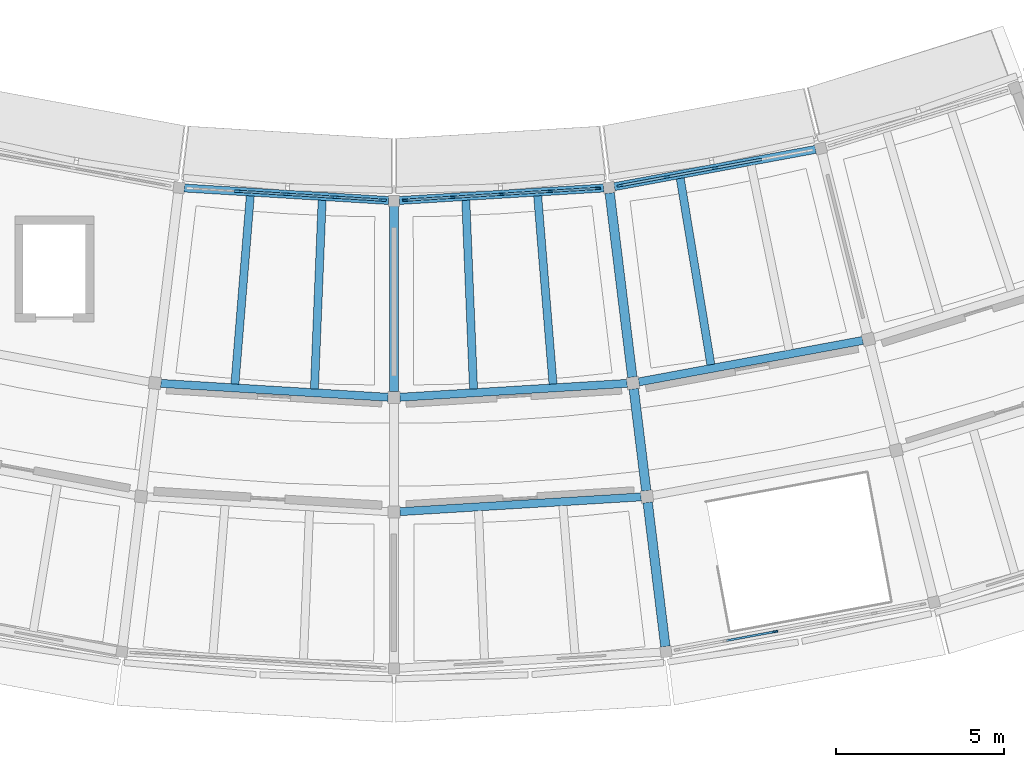
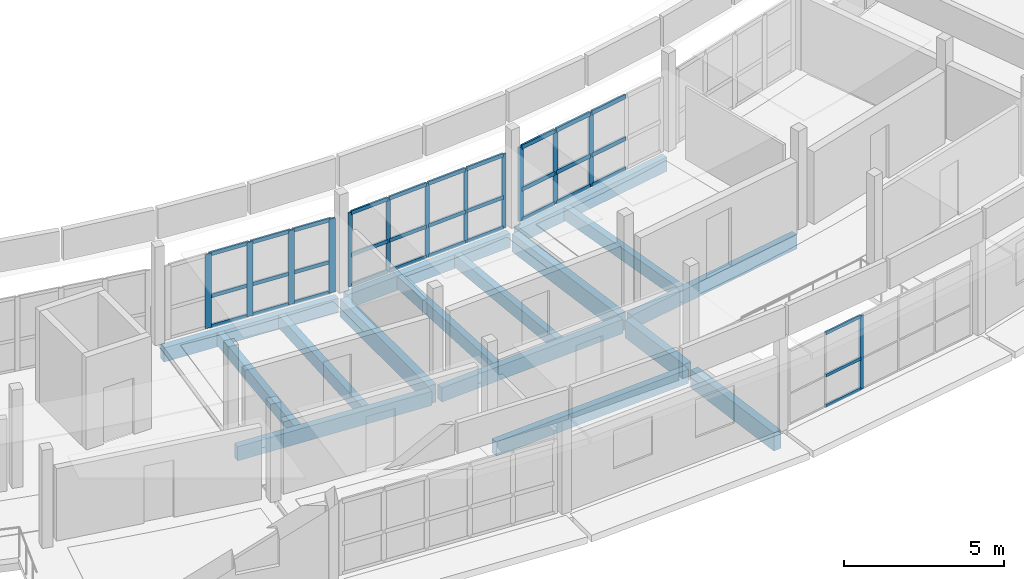
# One storey, part 5 of 12: 46 members, 16 beams, 4 elements without a shape of their own.
"""IFC4 building model written with IfcOpenShell, lengths in metres."""

from ifc_helpers import new_model, si_unit, direction, frame, origin, origin_2d, place, context, subcontext, project, spatial, rectangle, extrude, material, layer, layer_set, material_profile, profile_set, type_object, element, aggregate, save


model = new_model("IFC4")

# Units and contexts
model_context = context("Model", 3, precision=1e-05, world=origin(), true_north=direction((0.0, 1.0)))
body_context = subcontext(model_context, "Body", "Model", "MODEL_VIEW")
ifc_project = project(units=[si_unit("LENGTHUNIT", "METRE"), si_unit("AREAUNIT", "SQUARE_METRE"), si_unit("VOLUMEUNIT", "CUBIC_METRE"), si_unit("PLANEANGLEUNIT", "RADIAN"), si_unit("MASSUNIT", "GRAM", prefix="KILO")], contexts=[model_context])

# Site, building, storey
site_placement = place(None, origin())
site = spatial("IfcSite", under=ifc_project, at=site_placement, CompositionType="ELEMENT")
building_placement = place(site_placement, origin())
building = spatial("IfcBuilding", under=site, at=building_placement, Name="Caldaven Crescent School", CompositionType="ELEMENT")
storey_placement = place(building_placement, frame((0.0, 0.0, 19.3798828125)))
storey = spatial("IfcBuildingStorey", under=building, at=storey_placement, Name="L05", CompositionType="ELEMENT", Elevation=19.3798828125)

# Beams
ifc_material_1 = material(Name="Glulam MLE24h (GL28h)", Category="wood")
ifc_material_profile_1 = material_profile(ifc_material_1, rectangle(XDim=0.239990234375, YDim=0.5400390625, at=origin_2d()), Name="MLE 240x540")
ifc_profile_set_1 = profile_set([ifc_material_profile_1], Name="Glulam MLE24h (GL28h)")
beam_type_1 = type_object("IfcBeamType", Name="BM-GL54", PredefinedType="BEAM", material=ifc_profile_set_1)
for number, where, z_axis, x_axis, name in (
    (1, (81.069580078125, 38.123779296875, -0.47998046875), (0.998135879701, -0.061030858212, 0.0), (0.061030858212, 0.998135879701, 0.0), "BMT-V5-L05-1715"),
    (2, (88.174560546875, 37.710693359375, -0.47998046875), (0.998135879701, 0.061030858212, 0.0), (-0.061030858212, 0.998135879701, 0.0), "BMT-V5-L05-1723"),
):
    element("IfcBeam", number, at=place(storey_placement, frame(where, z_axis=z_axis, x_axis=x_axis)), inside=storey, type_object=beam_type_1, Name=name, PredefinedType="BEAM", context=body_context, shape_type="SweptSolid", body=[
        extrude(rectangle(XDim=0.239990234375, YDim=0.5400390625, at=origin_2d()), origin(), (0.0, 0.0, 1.0), 6.7685546875),
    ])
beam_1_placement = place(storey_placement, frame((88.174560546875, 34.310791015625, -0.47998046875), z_axis=(0.998135388571, 0.061038889914, 0.0), x_axis=(-0.061038889914, 0.998135388571, 0.0)))
element("IfcBeam", 3, at=beam_1_placement, inside=storey, type_object=beam_type_1, Name="BMT-V5-L05-1724", PredefinedType="BEAM", context=body_context, shape_type="SweptSolid", body=[
    extrude(rectangle(XDim=0.239990234375, YDim=0.5400390625, at=origin_2d()), origin(), (0.0, 0.0, 1.0), 7.18359375),
])
beam_2_placement = place(storey_placement, frame((95.277099609375, 38.16650390625, -0.47998046875), z_axis=(0.983254724559, 0.182236512894, 0.0), x_axis=(-0.182236512894, 0.983254724559, 0.0)))
element("IfcBeam", 4, at=beam_2_placement, inside=storey, type_object=beam_type_1, Name="BMT-V5-L05-1731", PredefinedType="BEAM", context=body_context, shape_type="SweptSolid", body=[
    extrude(rectangle(XDim=0.239990234375, YDim=0.5400390625, at=origin_2d()), origin(), (0.0, 0.0, 1.0), 6.76806640625),
])
ifc_material_profile_2 = material_profile(ifc_material_1, rectangle(XDim=0.280029296875, YDim=0.68994140625, at=origin_2d()), Name="MLE 280x690")
ifc_profile_set_2 = profile_set([ifc_material_profile_2], Name="Glulam MLE24h (GL28h)")
beam_type_2 = type_object("IfcBeamType", Name="BM-GL69", PredefinedType="BEAM", material=ifc_profile_set_2)
for number, where, z_axis, x_axis, name in (
    (5, (88.0, 43.389892578125, -0.554931640625), (0.0, -1.0, 0.0), (1.0, 0.0, 0.0), "BMR-V5-L05-1690"),
    (6, (94.41162109375, 43.7822265625, -0.554931640625), (0.121871408826, -0.992545898037, 0.0), (0.992545898037, 0.121871408826, 0.0), "BMR-V5-L05-1693"),
):
    element("IfcBeam", number, at=place(storey_placement, frame(where, z_axis=z_axis, x_axis=x_axis)), inside=storey, type_object=beam_type_2, Name=name, PredefinedType="BEAM", context=body_context, shape_type="SweptSolid", body=[
        extrude(rectangle(XDim=0.280029296875, YDim=0.68994140625, at=origin_2d()), origin(), (0.0, 0.0, 1.0), 5.514892578125),
    ])
beam_3_placement = place(storey_placement, frame((95.126220703125, 37.9609375, -0.554931640625), z_axis=(0.121906519032, -0.992541586342, 0.0), x_axis=(0.992541586342, 0.121906519032, 0.0)))
element("IfcBeam", 7, at=beam_3_placement, inside=storey, type_object=beam_type_2, Name="BMR-V5-L05-1694", PredefinedType="BEAM", context=body_context, shape_type="SweptSolid", body=[
    extrude(rectangle(XDim=0.280029296875, YDim=0.68994140625, at=origin_2d()), origin(), (0.0, 0.0, 1.0), 3.050048828125),
])
beam_4_placement = place(storey_placement, frame((95.540771484375, 34.586181640625, -0.554931640625), z_axis=(0.121875655073, -0.992545376646, 0.0), x_axis=(0.992545376646, 0.121875655073, 0.0)))
element("IfcBeam", 8, at=beam_4_placement, inside=storey, type_object=beam_type_2, Name="BMR-V5-L05-1695", PredefinedType="BEAM", context=body_context, shape_type="SweptSolid", body=[
    extrude(rectangle(XDim=0.280029296875, YDim=0.68994140625, at=origin_2d()), origin(), (0.0, 0.0, 1.0), 4.31494140625),
])

# Curtain wall, members
ifc_material_2 = material(Name="Anodised aluminium AA 6063-T6 and low-E double glazing", Category="aluminium")
ifc_layer_1 = layer(ifc_material_2, 0.18994140625)
ifc_layer_set_1 = layer_set([ifc_layer_1], Name="Anodised aluminium AA 6063-T6 and low-E double glazing")
curtain_wall_type_1 = type_object("IfcCurtainWallType", Name="CW-SYS2", PredefinedType="NOTDEFINED", material=ifc_layer_set_1)
curtain_wall_1_placement = place(storey_placement, origin())
curtain_wall_1 = element("IfcCurtainWall", 9, at=curtain_wall_1_placement, inside=storey, type_object=curtain_wall_type_1, Name="CW-L05-184", PredefinedType="NOTDEFINED")
ifc_material_3 = material(Name="Anodised aluminium AA 6063-T6", Category="aluminium")
ifc_material_profile_3 = material_profile(ifc_material_3, rectangle(XDim=0.06005859375, YDim=0.14990234375, at=origin_2d()), Name="CWM 60x150")
ifc_profile_set_3 = profile_set([ifc_material_profile_3], Name="Anodised aluminium AA 6063-T6")
member_type_1 = type_object("IfcMemberType", Name="CWM-T1", PredefinedType="MULLION", material=ifc_profile_set_3)
member_1_placement = place(storey_placement, frame((88.329345703125, 43.570068359375, 0.0), z_axis=(0.0, 0.0, 1.0), x_axis=(-0.061049319496, 0.998134750717, 0.0)))
member_1 = element("IfcMember", 10, at=member_1_placement, type_object=member_type_1, Name="CW2 mullion 1", PredefinedType="MULLION", context=body_context, shape_type="SweptSolid", body=[
    extrude(rectangle(XDim=0.06005859375, YDim=0.14990234375, at=origin_2d()), origin(), (0.0, 0.0, 1.0), 2.820068359375),
])
member_2_placement = place(storey_placement, frame((89.747802734375, 43.656982421875, 0.0), z_axis=(0.0, 0.0, 1.0), x_axis=(-0.061049319496, 0.998134750717, 0.0)))
member_2 = element("IfcMember", 11, at=member_2_placement, type_object=member_type_1, Name="CW2 mullion 2", PredefinedType="MULLION", context=body_context, shape_type="SweptSolid", body=[
    extrude(rectangle(XDim=0.06005859375, YDim=0.14990234375, at=origin_2d()), origin(), (0.0, 0.0, 1.0), 2.820068359375),
])
member_3_placement = place(storey_placement, frame((91.196044921875, 43.745361328125, 0.0), z_axis=(0.0, 0.0, 1.0), x_axis=(-0.061049319496, 0.998134750717, 0.0)))
member_3 = element("IfcMember", 12, at=member_3_placement, type_object=member_type_1, Name="CW2 mullion 3", PredefinedType="MULLION", context=body_context, shape_type="SweptSolid", body=[
    extrude(rectangle(XDim=0.06005859375, YDim=0.14990234375, at=origin_2d()), origin(), (0.0, 0.0, 1.0), 2.820068359375),
])
member_4_placement = place(storey_placement, frame((92.644287109375, 43.833984375, 0.0), z_axis=(0.0, 0.0, 1.0), x_axis=(-0.061049319496, 0.998134750717, 0.0)))
member_4 = element("IfcMember", 13, at=member_4_placement, type_object=member_type_1, Name="CW2 mullion 4", PredefinedType="MULLION", context=body_context, shape_type="SweptSolid", body=[
    extrude(rectangle(XDim=0.06005859375, YDim=0.14990234375, at=origin_2d()), origin(), (0.0, 0.0, 1.0), 2.820068359375),
])
member_5_placement = place(storey_placement, frame((94.062744140625, 43.9208984375, 0.0), z_axis=(0.0, 0.0, 1.0), x_axis=(-0.061049319496, 0.998134750717, 0.0)))
member_5 = element("IfcMember", 14, at=member_5_placement, type_object=member_type_1, Name="CW2 mullion 5", PredefinedType="MULLION", context=body_context, shape_type="SweptSolid", body=[
    extrude(rectangle(XDim=0.06005859375, YDim=0.14990234375, at=origin_2d()), origin(), (0.0, 0.0, 1.0), 2.820068359375),
])

# Curtain wall, member
ifc_layer_2 = layer(ifc_material_2, 0.169921875)
ifc_layer_set_2 = layer_set([ifc_layer_2], Name="Anodised aluminium AA 6063-T6 and low-E double glazing")
curtain_wall_type_2 = type_object("IfcCurtainWallType", Name="CW-SYS1", PredefinedType="NOTDEFINED", material=ifc_layer_set_2)
curtain_wall_2_placement = place(storey_placement, origin())
curtain_wall_2 = element("IfcCurtainWall", 15, at=curtain_wall_2_placement, inside=storey, type_object=curtain_wall_type_2, Name="CW-L05-186", PredefinedType="NOTDEFINED")
member_6_placement = place(storey_placement, frame((99.331298828125, 30.74609375, 0.0), z_axis=(0.0, 0.0, 1.0), x_axis=(-0.182236339268, 0.983254756739, 0.0)))
member_6 = element("IfcMember", 16, at=member_6_placement, type_object=member_type_1, Name="CW1 mullion 3", PredefinedType="MULLION", context=body_context, shape_type="SweptSolid", body=[
    extrude(rectangle(XDim=0.06005859375, YDim=0.14990234375, at=origin_2d()), origin(), (0.0, 0.0, 1.0), 2.820068359375),
])

# Curtain wall, members
ifc_layer_3 = layer(ifc_material_2, 0.2099609375)
ifc_layer_set_3 = layer_set([ifc_layer_3], Name="Anodised aluminium AA 6063-T6 and low-E double glazing")
curtain_wall_type_3 = type_object("IfcCurtainWallType", Name="CW-SYS3", PredefinedType="NOTDEFINED", material=ifc_layer_set_3)
curtain_wall_3_placement = place(storey_placement, origin())
curtain_wall_3 = element("IfcCurtainWall", 17, at=curtain_wall_3_placement, inside=storey, type_object=curtain_wall_type_3, Name="CW-L05-185", PredefinedType="NOTDEFINED")
ifc_material_profile_4 = material_profile(ifc_material_3, rectangle(XDim=0.06494140625, YDim=0.179931640625, at=origin_2d()), Name="CWM 65x180")
ifc_profile_set_4 = profile_set([ifc_material_profile_4], Name="Anodised aluminium AA 6063-T6")
member_type_2 = type_object("IfcMemberType", Name="CWM-T2", PredefinedType="MULLION", material=ifc_profile_set_4)
member_7_placement = place(storey_placement, frame((94.718994140625, 44.00146484375, 0.0), z_axis=(0.0, 0.0, 1.0), x_axis=(-0.182236405836, 0.983254744401, 0.0)))
member_7 = element("IfcMember", 18, at=member_7_placement, type_object=member_type_2, Name="CW3 mullion 1", PredefinedType="MULLION", context=body_context, shape_type="SweptSolid", body=[
    extrude(rectangle(XDim=0.06494140625, YDim=0.179931640625, at=origin_2d()), origin(), (0.0, 0.0, 1.0), 2.820068359375),
])
member_8_placement = place(storey_placement, frame((96.11376953125, 44.260009765625, 0.0), z_axis=(0.0, 0.0, 1.0), x_axis=(-0.182236405836, 0.983254744401, 0.0)))
member_8 = element("IfcMember", 19, at=member_8_placement, type_object=member_type_2, Name="CW3 mullion 2", PredefinedType="MULLION", context=body_context, shape_type="SweptSolid", body=[
    extrude(rectangle(XDim=0.06494140625, YDim=0.179931640625, at=origin_2d()), origin(), (0.0, 0.0, 1.0), 2.820068359375),
])
member_9_placement = place(storey_placement, frame((97.54052734375, 44.5244140625, 0.0), z_axis=(0.0, 0.0, 1.0), x_axis=(-0.182236405836, 0.983254744401, 0.0)))
member_9 = element("IfcMember", 20, at=member_9_placement, type_object=member_type_2, Name="CW3 mullion 3", PredefinedType="MULLION", context=body_context, shape_type="SweptSolid", body=[
    extrude(rectangle(XDim=0.06494140625, YDim=0.179931640625, at=origin_2d()), origin(), (0.0, 0.0, 1.0), 2.820068359375),
])

curtain_wall_4_placement = place(storey_placement, origin())
curtain_wall_4 = element("IfcCurtainWall", 21, at=curtain_wall_4_placement, inside=storey, type_object=curtain_wall_type_2, Name="CW-L05-182", PredefinedType="NOTDEFINED")
ifc_material_profile_5 = material_profile(ifc_material_3, rectangle(XDim=0.070068359375, YDim=0.2099609375, at=origin_2d()), Name="CWM 70x210")
ifc_profile_set_5 = profile_set([ifc_material_profile_5], Name="Anodised aluminium AA 6063-T6")
member_type_3 = type_object("IfcMemberType", Name="CWM-T3", PredefinedType="MULLION", material=ifc_profile_set_5)
member_10_placement = place(storey_placement, frame((83.355712890625, 43.833984375, 0.0), z_axis=(0.0, 0.0, 1.0), x_axis=(0.061049319496, 0.998134750717, 0.0)))
member_10 = element("IfcMember", 22, at=member_10_placement, type_object=member_type_3, Name="CW1 mullion 2", PredefinedType="MULLION", context=body_context, shape_type="SweptSolid", body=[
    extrude(rectangle(XDim=0.070068359375, YDim=0.2099609375, at=origin_2d()), origin(), (0.0, 0.0, 1.0), 2.820068359375),
])
member_11_placement = place(storey_placement, frame((84.803955078125, 43.745361328125, 0.0), z_axis=(0.0, 0.0, 1.0), x_axis=(0.061049319496, 0.998134750717, 0.0)))
member_11 = element("IfcMember", 23, at=member_11_placement, type_object=member_type_3, Name="CW1 mullion 3", PredefinedType="MULLION", context=body_context, shape_type="SweptSolid", body=[
    extrude(rectangle(XDim=0.070068359375, YDim=0.2099609375, at=origin_2d()), origin(), (0.0, 0.0, 1.0), 2.820068359375),
])
member_12_placement = place(storey_placement, frame((86.252197265625, 43.656982421875, 0.0), z_axis=(0.0, 0.0, 1.0), x_axis=(0.061049319496, 0.998134750717, 0.0)))
member_12 = element("IfcMember", 24, at=member_12_placement, type_object=member_type_3, Name="CW1 mullion 4", PredefinedType="MULLION", context=body_context, shape_type="SweptSolid", body=[
    extrude(rectangle(XDim=0.070068359375, YDim=0.2099609375, at=origin_2d()), origin(), (0.0, 0.0, 1.0), 2.820068359375),
])
member_13_placement = place(storey_placement, frame((87.66552734375, 43.570556640625, 0.0), z_axis=(0.0, 0.0, 1.0), x_axis=(0.061049319496, 0.998134750717, 0.0)))
member_13 = element("IfcMember", 25, at=member_13_placement, type_object=member_type_3, Name="CW1 mullion 5", PredefinedType="MULLION", context=body_context, shape_type="SweptSolid", body=[
    extrude(rectangle(XDim=0.070068359375, YDim=0.2099609375, at=origin_2d()), origin(), (0.0, 0.0, 1.0), 2.820068359375),
])

# Member
ifc_material_profile_6 = material_profile(ifc_material_3, rectangle(XDim=0.06005859375, YDim=0.1201171875, at=origin_2d()), Name="CWT 60x120")
ifc_profile_set_6 = profile_set([ifc_material_profile_6], Name="Anodised aluminium AA 6063-T6")
member_type_4 = type_object("IfcMemberType", Name="CWT-T1", PredefinedType="USERDEFINED", material=ifc_profile_set_6)
member_14_placement = place(storey_placement, frame((97.885498046875, 30.47802734375, 0.030029296875), z_axis=(0.983259517613, 0.182210650135, 0.0), x_axis=(-0.182210650135, 0.983259517613, 0.0)))
member_14 = element("IfcMember", 26, at=member_14_placement, type_object=member_type_4, Name="CW1 transom 2.1", ObjectType="TRANSOM", PredefinedType="USERDEFINED", context=body_context, shape_type="SweptSolid", body=[
    extrude(rectangle(XDim=0.06005859375, YDim=0.1201171875, at=origin_2d()), origin(), (0.0, 0.0, 1.0), 1.4404296875),
])

member_15_placement = place(storey_placement, frame((97.885498046875, 30.47802734375, 1.18408203125), z_axis=(0.983259517613, 0.182210650135, 0.0), x_axis=(-0.182210650135, 0.983259517613, 0.0)))
member_15 = element("IfcMember", 27, at=member_15_placement, type_object=member_type_4, Name="CW1 transom 2.2", ObjectType="TRANSOM", PredefinedType="USERDEFINED", context=body_context, shape_type="SweptSolid", body=[
    extrude(rectangle(XDim=0.06005859375, YDim=0.1201171875, at=origin_2d()), origin(), (0.0, 0.0, 1.0), 1.4404296875),
])

member_16_placement = place(storey_placement, frame((97.885498046875, 30.47802734375, 2.7900390625), z_axis=(0.983259517613, 0.182210650135, 0.0), x_axis=(-0.182210650135, 0.983259517613, 0.0)))
member_16 = element("IfcMember", 28, at=member_16_placement, type_object=member_type_4, Name="CW1 transom 2.3", ObjectType="TRANSOM", PredefinedType="USERDEFINED", context=body_context, shape_type="SweptSolid", body=[
    extrude(rectangle(XDim=0.06005859375, YDim=0.1201171875, at=origin_2d()), origin(), (0.0, 0.0, 1.0), 1.4404296875),
])

aggregate(curtain_wall_2, [member_6, member_14, member_15, member_16])

ifc_material_profile_7 = material_profile(ifc_material_3, rectangle(XDim=0.06494140625, YDim=0.139892578125, at=origin_2d()), Name="CWT 65x140")
ifc_profile_set_7 = profile_set([ifc_material_profile_7], Name="Anodised aluminium AA 6063-T6")
member_type_5 = type_object("IfcMemberType", Name="CWT-T2", PredefinedType="USERDEFINED", material=ifc_profile_set_7)
member_17_placement = place(storey_placement, frame((83.390625, 43.83203125, 0.03271484375), z_axis=(0.998127510881, -0.061167573285, 0.0), x_axis=(0.061167573285, 0.998127510881, 0.0)))
member_17 = element("IfcMember", 29, at=member_17_placement, type_object=member_type_5, Name="CW1 transom 2.1", ObjectType="TRANSOM", PredefinedType="USERDEFINED", context=body_context, shape_type="SweptSolid", body=[
    extrude(rectangle(XDim=0.06494140625, YDim=0.139892578125, at=origin_2d()), origin(), (0.0, 0.0, 1.0), 1.381103515625),
])

member_18_placement = place(storey_placement, frame((83.390625, 43.83203125, 1.18408203125), z_axis=(0.998127510881, -0.061167573285, 0.0), x_axis=(0.061167573285, 0.998127510881, 0.0)))
member_18 = element("IfcMember", 30, at=member_18_placement, type_object=member_type_5, Name="CW1 transom 2.2", ObjectType="TRANSOM", PredefinedType="USERDEFINED", context=body_context, shape_type="SweptSolid", body=[
    extrude(rectangle(XDim=0.06494140625, YDim=0.139892578125, at=origin_2d()), origin(), (0.0, 0.0, 1.0), 1.381103515625),
])

member_19_placement = place(storey_placement, frame((83.390625, 43.83203125, 2.78759765625), z_axis=(0.998127510881, -0.061167573285, 0.0), x_axis=(0.061167573285, 0.998127510881, 0.0)))
member_19 = element("IfcMember", 31, at=member_19_placement, type_object=member_type_5, Name="CW1 transom 2.3", ObjectType="TRANSOM", PredefinedType="USERDEFINED", context=body_context, shape_type="SweptSolid", body=[
    extrude(rectangle(XDim=0.06494140625, YDim=0.139892578125, at=origin_2d()), origin(), (0.0, 0.0, 1.0), 1.381103515625),
])

member_20_placement = place(storey_placement, frame((84.8388671875, 43.743408203125, 0.03271484375), z_axis=(0.998127510881, -0.061167573285, 0.0), x_axis=(0.061167573285, 0.998127510881, 0.0)))
member_20 = element("IfcMember", 32, at=member_20_placement, type_object=member_type_5, Name="CW1 transom 3.1", ObjectType="TRANSOM", PredefinedType="USERDEFINED", context=body_context, shape_type="SweptSolid", body=[
    extrude(rectangle(XDim=0.06494140625, YDim=0.139892578125, at=origin_2d()), origin(), (0.0, 0.0, 1.0), 1.381103515625),
])

member_21_placement = place(storey_placement, frame((84.8388671875, 43.743408203125, 1.18408203125), z_axis=(0.998127510881, -0.061167573285, 0.0), x_axis=(0.061167573285, 0.998127510881, 0.0)))
member_21 = element("IfcMember", 33, at=member_21_placement, type_object=member_type_5, Name="CW1 transom 3.2", ObjectType="TRANSOM", PredefinedType="USERDEFINED", context=body_context, shape_type="SweptSolid", body=[
    extrude(rectangle(XDim=0.06494140625, YDim=0.139892578125, at=origin_2d()), origin(), (0.0, 0.0, 1.0), 1.381103515625),
])

member_22_placement = place(storey_placement, frame((84.8388671875, 43.743408203125, 2.78759765625), z_axis=(0.998127510881, -0.061167573285, 0.0), x_axis=(0.061167573285, 0.998127510881, 0.0)))
member_22 = element("IfcMember", 34, at=member_22_placement, type_object=member_type_5, Name="CW1 transom 3.3", ObjectType="TRANSOM", PredefinedType="USERDEFINED", context=body_context, shape_type="SweptSolid", body=[
    extrude(rectangle(XDim=0.06494140625, YDim=0.139892578125, at=origin_2d()), origin(), (0.0, 0.0, 1.0), 1.381103515625),
])

member_23_placement = place(storey_placement, frame((86.287109375, 43.65478515625, 0.03271484375), z_axis=(0.998130130323, -0.06112481445, 0.0), x_axis=(0.06112481445, 0.998130130323, 0.0)))
member_23 = element("IfcMember", 35, at=member_23_placement, type_object=member_type_5, Name="CW1 transom 4.1", ObjectType="TRANSOM", PredefinedType="USERDEFINED", context=body_context, shape_type="SweptSolid", body=[
    extrude(rectangle(XDim=0.06494140625, YDim=0.139892578125, at=origin_2d()), origin(), (0.0, 0.0, 1.0), 1.345947265625),
])

member_24_placement = place(storey_placement, frame((86.287109375, 43.65478515625, 1.18408203125), z_axis=(0.998130130323, -0.06112481445, 0.0), x_axis=(0.06112481445, 0.998130130323, 0.0)))
member_24 = element("IfcMember", 36, at=member_24_placement, type_object=member_type_5, Name="CW1 transom 4.2", ObjectType="TRANSOM", PredefinedType="USERDEFINED", context=body_context, shape_type="SweptSolid", body=[
    extrude(rectangle(XDim=0.06494140625, YDim=0.139892578125, at=origin_2d()), origin(), (0.0, 0.0, 1.0), 1.345947265625),
])

member_25_placement = place(storey_placement, frame((86.287109375, 43.65478515625, 2.78759765625), z_axis=(0.998130130323, -0.06112481445, 0.0), x_axis=(0.06112481445, 0.998130130323, 0.0)))
member_25 = element("IfcMember", 37, at=member_25_placement, type_object=member_type_5, Name="CW1 transom 4.3", ObjectType="TRANSOM", PredefinedType="USERDEFINED", context=body_context, shape_type="SweptSolid", body=[
    extrude(rectangle(XDim=0.06494140625, YDim=0.139892578125, at=origin_2d()), origin(), (0.0, 0.0, 1.0), 1.345947265625),
])

aggregate(curtain_wall_4, [member_10, member_11, member_12, member_13, member_17, member_18, member_19, member_20, member_21, member_22, member_23, member_24, member_25])

member_26_placement = place(storey_placement, frame((88.359375, 43.572021484375, 0.03271484375), z_axis=(0.998138172654, 0.06099334628, 0.0), x_axis=(-0.06099334628, 0.998138172654, 0.0)))
member_26 = element("IfcMember", 38, at=member_26_placement, type_object=member_type_5, Name="CW2 transom 1.1", ObjectType="TRANSOM", PredefinedType="USERDEFINED", context=body_context, shape_type="SweptSolid", body=[
    extrude(rectangle(XDim=0.06494140625, YDim=0.139892578125, at=origin_2d()), origin(), (0.0, 0.0, 1.0), 1.36083984375),
])

member_27_placement = place(storey_placement, frame((88.359375, 43.572021484375, 1.18408203125), z_axis=(0.998138172654, 0.06099334628, 0.0), x_axis=(-0.06099334628, 0.998138172654, 0.0)))
member_27 = element("IfcMember", 39, at=member_27_placement, type_object=member_type_5, Name="CW2 transom 1.2", ObjectType="TRANSOM", PredefinedType="USERDEFINED", context=body_context, shape_type="SweptSolid", body=[
    extrude(rectangle(XDim=0.06494140625, YDim=0.139892578125, at=origin_2d()), origin(), (0.0, 0.0, 1.0), 1.36083984375),
])

member_28_placement = place(storey_placement, frame((88.359375, 43.572021484375, 2.78759765625), z_axis=(0.998138172654, 0.06099334628, 0.0), x_axis=(-0.06099334628, 0.998138172654, 0.0)))
member_28 = element("IfcMember", 40, at=member_28_placement, type_object=member_type_5, Name="CW2 transom 1.3", ObjectType="TRANSOM", PredefinedType="USERDEFINED", context=body_context, shape_type="SweptSolid", body=[
    extrude(rectangle(XDim=0.06494140625, YDim=0.139892578125, at=origin_2d()), origin(), (0.0, 0.0, 1.0), 1.36083984375),
])

member_29_placement = place(storey_placement, frame((89.777587890625, 43.65869140625, 0.03271484375), z_axis=(0.998132999358, 0.061077946857, 0.0), x_axis=(-0.061077946857, 0.998132999358, 0.0)))
member_29 = element("IfcMember", 41, at=member_29_placement, type_object=member_type_5, Name="CW2 transom 2.1", ObjectType="TRANSOM", PredefinedType="USERDEFINED", context=body_context, shape_type="SweptSolid", body=[
    extrude(rectangle(XDim=0.06494140625, YDim=0.139892578125, at=origin_2d()), origin(), (0.0, 0.0, 1.0), 1.39111328125),
])

member_30_placement = place(storey_placement, frame((89.777587890625, 43.65869140625, 1.18408203125), z_axis=(0.998132999358, 0.061077946857, 0.0), x_axis=(-0.061077946857, 0.998132999358, 0.0)))
member_30 = element("IfcMember", 42, at=member_30_placement, type_object=member_type_5, Name="CW2 transom 2.2", ObjectType="TRANSOM", PredefinedType="USERDEFINED", context=body_context, shape_type="SweptSolid", body=[
    extrude(rectangle(XDim=0.06494140625, YDim=0.139892578125, at=origin_2d()), origin(), (0.0, 0.0, 1.0), 1.39111328125),
])

member_31_placement = place(storey_placement, frame((89.777587890625, 43.65869140625, 2.78759765625), z_axis=(0.998132999358, 0.061077946857, 0.0), x_axis=(-0.061077946857, 0.998132999358, 0.0)))
member_31 = element("IfcMember", 43, at=member_31_placement, type_object=member_type_5, Name="CW2 transom 2.3", ObjectType="TRANSOM", PredefinedType="USERDEFINED", context=body_context, shape_type="SweptSolid", body=[
    extrude(rectangle(XDim=0.06494140625, YDim=0.139892578125, at=origin_2d()), origin(), (0.0, 0.0, 1.0), 1.39111328125),
])

member_32_placement = place(storey_placement, frame((91.22607421875, 43.747314453125, 0.03271484375), z_axis=(0.998132344438, 0.061088648587, 0.0), x_axis=(-0.061088648587, 0.998132344438, 0.0)))
member_32 = element("IfcMember", 44, at=member_32_placement, type_object=member_type_5, Name="CW2 transom 3.1", ObjectType="TRANSOM", PredefinedType="USERDEFINED", context=body_context, shape_type="SweptSolid", body=[
    extrude(rectangle(XDim=0.06494140625, YDim=0.139892578125, at=origin_2d()), origin(), (0.0, 0.0, 1.0), 1.390869140625),
])

member_33_placement = place(storey_placement, frame((91.22607421875, 43.747314453125, 1.18408203125), z_axis=(0.998132344438, 0.061088648587, 0.0), x_axis=(-0.061088648587, 0.998132344438, 0.0)))
member_33 = element("IfcMember", 45, at=member_33_placement, type_object=member_type_5, Name="CW2 transom 3.2", ObjectType="TRANSOM", PredefinedType="USERDEFINED", context=body_context, shape_type="SweptSolid", body=[
    extrude(rectangle(XDim=0.06494140625, YDim=0.139892578125, at=origin_2d()), origin(), (0.0, 0.0, 1.0), 1.390869140625),
])

member_34_placement = place(storey_placement, frame((91.22607421875, 43.747314453125, 2.78759765625), z_axis=(0.998132344438, 0.061088648587, 0.0), x_axis=(-0.061088648587, 0.998132344438, 0.0)))
member_34 = element("IfcMember", 46, at=member_34_placement, type_object=member_type_5, Name="CW2 transom 3.3", ObjectType="TRANSOM", PredefinedType="USERDEFINED", context=body_context, shape_type="SweptSolid", body=[
    extrude(rectangle(XDim=0.06494140625, YDim=0.139892578125, at=origin_2d()), origin(), (0.0, 0.0, 1.0), 1.390869140625),
])

member_35_placement = place(storey_placement, frame((92.67431640625, 43.8359375, 0.03271484375), z_axis=(0.998138172654, 0.06099334628, 0.0), x_axis=(-0.06099334628, 0.998138172654, 0.0)))
member_35 = element("IfcMember", 47, at=member_35_placement, type_object=member_type_5, Name="CW2 transom 4.1", ObjectType="TRANSOM", PredefinedType="USERDEFINED", context=body_context, shape_type="SweptSolid", body=[
    extrude(rectangle(XDim=0.06494140625, YDim=0.139892578125, at=origin_2d()), origin(), (0.0, 0.0, 1.0), 1.36083984375),
])

member_36_placement = place(storey_placement, frame((92.67431640625, 43.8359375, 1.18408203125), z_axis=(0.998138172654, 0.06099334628, 0.0), x_axis=(-0.06099334628, 0.998138172654, 0.0)))
member_36 = element("IfcMember", 48, at=member_36_placement, type_object=member_type_5, Name="CW2 transom 4.2", ObjectType="TRANSOM", PredefinedType="USERDEFINED", context=body_context, shape_type="SweptSolid", body=[
    extrude(rectangle(XDim=0.06494140625, YDim=0.139892578125, at=origin_2d()), origin(), (0.0, 0.0, 1.0), 1.36083984375),
])

member_37_placement = place(storey_placement, frame((92.67431640625, 43.8359375, 2.78759765625), z_axis=(0.998138172654, 0.06099334628, 0.0), x_axis=(-0.06099334628, 0.998138172654, 0.0)))
member_37 = element("IfcMember", 49, at=member_37_placement, type_object=member_type_5, Name="CW2 transom 4.3", ObjectType="TRANSOM", PredefinedType="USERDEFINED", context=body_context, shape_type="SweptSolid", body=[
    extrude(rectangle(XDim=0.06494140625, YDim=0.139892578125, at=origin_2d()), origin(), (0.0, 0.0, 1.0), 1.36083984375),
])

aggregate(curtain_wall_1, [member_1, member_2, member_3, member_4, member_5, member_26, member_27, member_28, member_29, member_30, member_31, member_32, member_33, member_34, member_35, member_36, member_37])

ifc_material_profile_8 = material_profile(ifc_material_3, rectangle(XDim=0.070068359375, YDim=0.159912109375, at=origin_2d()), Name="CWT 70x160")
ifc_profile_set_8 = profile_set([ifc_material_profile_8], Name="Anodised aluminium AA 6063-T6")
member_type_6 = type_object("IfcMemberType", Name="CWT-T3", PredefinedType="USERDEFINED", material=ifc_profile_set_8)
member_38_placement = place(storey_placement, frame((94.7509765625, 44.007568359375, 0.03515625), z_axis=(0.983264057672, 0.182186149009, 0.0), x_axis=(-0.182186149009, 0.983264057672, 0.0)))
member_38 = element("IfcMember", 50, at=member_38_placement, type_object=member_type_6, Name="CW3 transom 1.1", ObjectType="TRANSOM", PredefinedType="USERDEFINED", context=body_context, shape_type="SweptSolid", body=[
    extrude(rectangle(XDim=0.070068359375, YDim=0.159912109375, at=origin_2d()), origin(), (0.0, 0.0, 1.0), 1.353515625),
])

member_39_placement = place(storey_placement, frame((94.7509765625, 44.007568359375, 1.18408203125), z_axis=(0.983264057672, 0.182186149009, 0.0), x_axis=(-0.182186149009, 0.983264057672, 0.0)))
member_39 = element("IfcMember", 51, at=member_39_placement, type_object=member_type_6, Name="CW3 transom 1.2", ObjectType="TRANSOM", PredefinedType="USERDEFINED", context=body_context, shape_type="SweptSolid", body=[
    extrude(rectangle(XDim=0.070068359375, YDim=0.159912109375, at=origin_2d()), origin(), (0.0, 0.0, 1.0), 1.353515625),
])

member_40_placement = place(storey_placement, frame((94.7509765625, 44.007568359375, 2.78515625), z_axis=(0.983264057672, 0.182186149009, 0.0), x_axis=(-0.182186149009, 0.983264057672, 0.0)))
member_40 = element("IfcMember", 52, at=member_40_placement, type_object=member_type_6, Name="CW3 transom 1.3", ObjectType="TRANSOM", PredefinedType="USERDEFINED", context=body_context, shape_type="SweptSolid", body=[
    extrude(rectangle(XDim=0.070068359375, YDim=0.159912109375, at=origin_2d()), origin(), (0.0, 0.0, 1.0), 1.353515625),
])

member_41_placement = place(storey_placement, frame((96.145751953125, 44.265869140625, 0.03515625), z_axis=(0.983241097753, 0.182310020812, 0.0), x_axis=(-0.182310020812, 0.983241097753, 0.0)))
member_41 = element("IfcMember", 53, at=member_41_placement, type_object=member_type_6, Name="CW3 transom 2.1", ObjectType="TRANSOM", PredefinedType="USERDEFINED", context=body_context, shape_type="SweptSolid", body=[
    extrude(rectangle(XDim=0.070068359375, YDim=0.159912109375, at=origin_2d()), origin(), (0.0, 0.0, 1.0), 1.385986328125),
])

member_42_placement = place(storey_placement, frame((96.145751953125, 44.265869140625, 1.18408203125), z_axis=(0.983241097753, 0.182310020812, 0.0), x_axis=(-0.182310020812, 0.983241097753, 0.0)))
member_42 = element("IfcMember", 54, at=member_42_placement, type_object=member_type_6, Name="CW3 transom 2.2", ObjectType="TRANSOM", PredefinedType="USERDEFINED", context=body_context, shape_type="SweptSolid", body=[
    extrude(rectangle(XDim=0.070068359375, YDim=0.159912109375, at=origin_2d()), origin(), (0.0, 0.0, 1.0), 1.385986328125),
])

member_43_placement = place(storey_placement, frame((96.145751953125, 44.265869140625, 2.78515625), z_axis=(0.983241097753, 0.182310020812, 0.0), x_axis=(-0.182310020812, 0.983241097753, 0.0)))
member_43 = element("IfcMember", 55, at=member_43_placement, type_object=member_type_6, Name="CW3 transom 2.3", ObjectType="TRANSOM", PredefinedType="USERDEFINED", context=body_context, shape_type="SweptSolid", body=[
    extrude(rectangle(XDim=0.070068359375, YDim=0.159912109375, at=origin_2d()), origin(), (0.0, 0.0, 1.0), 1.385986328125),
])

member_44_placement = place(storey_placement, frame((97.572265625, 44.5302734375, 0.03515625), z_axis=(0.983241097753, 0.182310020812, 0.0), x_axis=(-0.182310020812, 0.983241097753, 0.0)))
member_44 = element("IfcMember", 56, at=member_44_placement, type_object=member_type_6, Name="CW3 transom 3.1", ObjectType="TRANSOM", PredefinedType="USERDEFINED", context=body_context, shape_type="SweptSolid", body=[
    extrude(rectangle(XDim=0.070068359375, YDim=0.159912109375, at=origin_2d()), origin(), (0.0, 0.0, 1.0), 1.385986328125),
])

member_45_placement = place(storey_placement, frame((97.572265625, 44.5302734375, 1.18408203125), z_axis=(0.983241097753, 0.182310020812, 0.0), x_axis=(-0.182310020812, 0.983241097753, 0.0)))
member_45 = element("IfcMember", 57, at=member_45_placement, type_object=member_type_6, Name="CW3 transom 3.2", ObjectType="TRANSOM", PredefinedType="USERDEFINED", context=body_context, shape_type="SweptSolid", body=[
    extrude(rectangle(XDim=0.070068359375, YDim=0.159912109375, at=origin_2d()), origin(), (0.0, 0.0, 1.0), 1.385986328125),
])

member_46_placement = place(storey_placement, frame((97.572265625, 44.5302734375, 2.78515625), z_axis=(0.983241097753, 0.182310020812, 0.0), x_axis=(-0.182310020812, 0.983241097753, 0.0)))
member_46 = element("IfcMember", 58, at=member_46_placement, type_object=member_type_6, Name="CW3 transom 3.3", ObjectType="TRANSOM", PredefinedType="USERDEFINED", context=body_context, shape_type="SweptSolid", body=[
    extrude(rectangle(XDim=0.070068359375, YDim=0.159912109375, at=origin_2d()), origin(), (0.0, 0.0, 1.0), 1.385986328125),
])

aggregate(curtain_wall_3, [member_7, member_8, member_9, member_38, member_39, member_40, member_41, member_42, member_43, member_44, member_45, member_46])

# Beams
ifc_material_profile_9 = material_profile(ifc_material_1, rectangle(XDim=0.239990234375, YDim=0.47998046875, at=origin_2d()), Name="MLE 240x480")
ifc_profile_set_9 = profile_set([ifc_material_profile_9], Name="Glulam MLE24h (GL28h)")
beam_type_3 = type_object("IfcBeamType", Name="JS-GL48", PredefinedType="JOIST", material=ifc_profile_set_9)
for number, where, z_axis, x_axis, name in (
    (59, (83.729248046875, 43.696044921875, -0.449951171875), (-0.081374360202, -0.996683607521, 0.0), (0.996683607521, -0.081374360202, 0.0), "JSR-V5-L05-1718"),
    (60, (85.86474609375, 43.5654296875, -0.449951171875), (-0.040730946432, -0.999170150676, 0.0), (0.999170150676, -0.040730946432, 0.0), "JSR-V5-L05-1720"),
    (61, (90.13525390625, 43.5654296875, -0.449951171875), (0.040730946432, -0.999170150676, 0.0), (0.999170150676, 0.040730946432, 0.0), "JSR-V5-L05-1726"),
    (62, (92.270751953125, 43.696044921875, -0.449951171875), (0.081374360202, -0.996683607521, 0.0), (0.996683607521, 0.081374360202, 0.0), "JSR-V5-L05-1728"),
    (63, (96.509521484375, 44.216552734375, -0.449951171875), (0.162182803006, -0.98676073007, 0.0), (0.98676073007, 0.162182803006, 0.0), "JSR-V5-L05-1734"),
):
    element("IfcBeam", number, at=place(storey_placement, frame(where, z_axis=z_axis, x_axis=x_axis)), inside=storey, type_object=beam_type_3, Name=name, PredefinedType="JOIST", context=body_context, shape_type="SweptSolid", body=[
        extrude(rectangle(XDim=0.239990234375, YDim=0.47998046875, at=origin_2d()), origin(), (0.0, 0.0, 1.0), 5.6103515625),
    ])
ifc_material_profile_10 = material_profile(ifc_material_1, rectangle(XDim=0.239990234375, YDim=0.5400390625, at=origin_2d()), Name="MLE 240x540")
ifc_profile_set_10 = profile_set([ifc_material_profile_10], Name="Glulam MLE24h (GL28h)")
beam_type_4 = type_object("IfcBeamType", Name="SP-GL54", PredefinedType="SPANDREL", material=ifc_profile_set_10)
for number, where, z_axis, x_axis, name in (
    (64, (81.767578125, 43.93115234375, -0.47998046875), (0.998135676167, -0.06103418684, 0.0), (0.06103418684, 0.998135676167, 0.0), "BMT-V5-L05-1714"),
    (65, (88.15966796875, 43.559814453125, -0.47998046875), (0.998135676167, 0.06103418684, 0.0), (-0.06103418684, 0.998135676167, 0.0), "BMT-V5-L05-1722"),
    (66, (94.54931640625, 43.97021484375, -0.47998046875), (0.983257514796, 0.182221457564, 0.0), (-0.182221457564, 0.983257514796, 0.0), "BMT-V5-L05-1730"),
):
    element("IfcBeam", number, at=place(storey_placement, frame(where, z_axis=z_axis, x_axis=x_axis)), inside=storey, type_object=beam_type_4, Name=name, PredefinedType="SPANDREL", context=body_context, shape_type="SweptSolid", body=[
        extrude(rectangle(XDim=0.239990234375, YDim=0.5400390625, at=origin_2d()), origin(), (0.0, 0.0, 1.0), 6.083984375),
    ])

save(model, "model.ifc")
